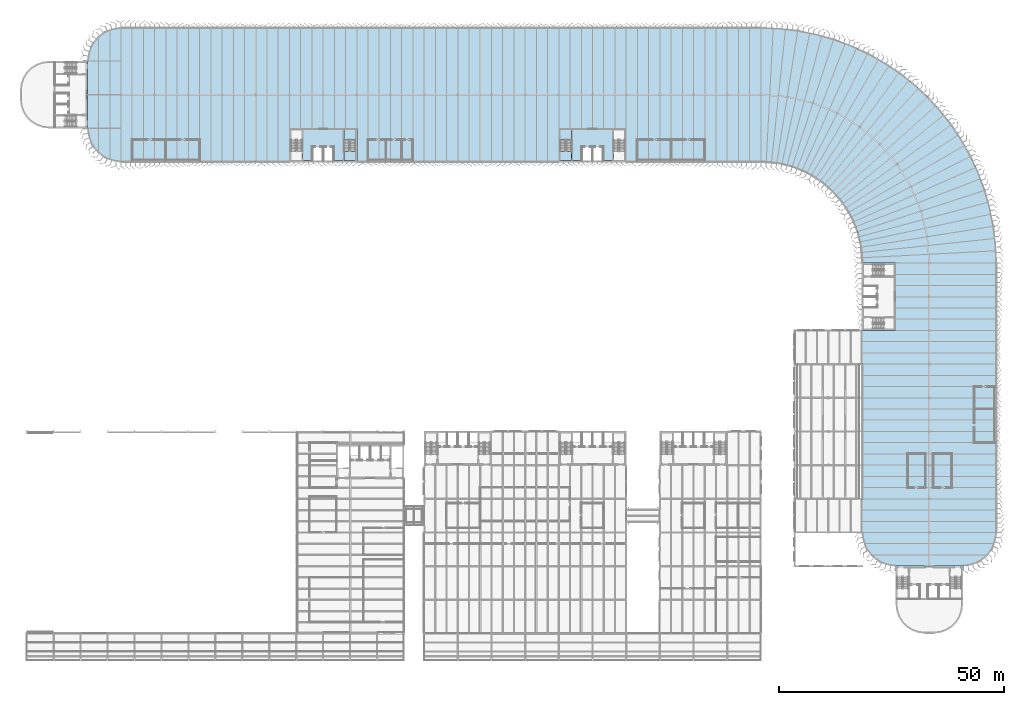
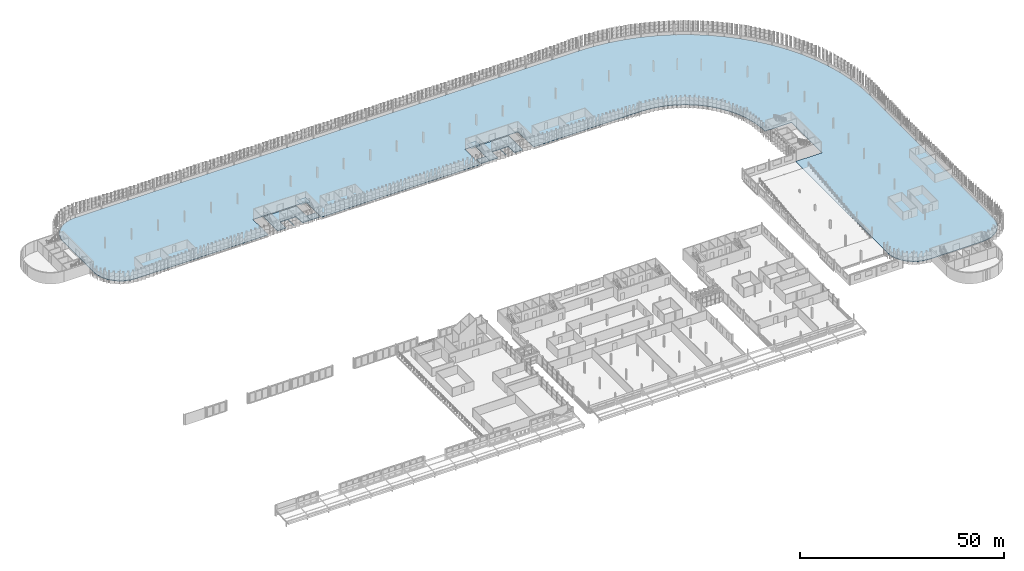
# One storey, part 59 of 214: 7 slabs, 2 elements without a shape of their own.
"""IFC4 building model written with IfcOpenShell, lengths in metres."""

import ifcopenshell
import ifcopenshell.guid

model = None  # the IFC model being written
_history = None  # IfcOwnerHistory: only IFC2X3 demands one
_inside = {}  # id of a spatial element -> (the spatial element, [elements in it])
_under = {}  # id of a project, library or spatial element -> (it, [spatial elements below it])
_declared = {}  # id of a project -> (the project, [libraries it declares])
_typed = {}  # id of a type object -> (the type object, [elements of that type])
_made_of = {}  # id of a material, layer set ... -> (it, [elements and type objects made of it])


def new_model(schema):
    """Start an empty IFC model of exactly this schema.

    Asked for "IFC4X3", IfcOpenShell would pick the latest addendum, in which some entities
    have other attributes; the version numbers below select the first issue.
    IFC2X3 requires an IfcOwnerHistory on every rooted entity: one is made here for all.
    """
    global model, _history
    if schema == "IFC4X3":
        model = ifcopenshell.file(schema_version=(4, 3, 0, 0))
    else:
        model = ifcopenshell.file(schema=schema)
    _inside.clear()
    _under.clear()
    _declared.clear()
    _typed.clear()
    _made_of.clear()
    _history = None
    if model.schema == "IFC2X3":
        org = make("IfcOrganization", Name="unknown")
        user = make(
            "IfcPersonAndOrganization",
            ThePerson=make("IfcPerson", FamilyName="unknown"),
            TheOrganization=org,
        )
        app = make(
            "IfcApplication",
            ApplicationDeveloper=org,
            Version="unknown",
            ApplicationFullName="unknown",
            ApplicationIdentifier="unknown",
        )
        _history = make(
            "IfcOwnerHistory",
            OwningUser=user,
            OwningApplication=app,
            ChangeAction="ADDED",
            CreationDate=0,
        )
    return model


def make(cls, **values):
    """One entity of the class cls with the attributes given. An attribute that is None is left unset."""
    return model.create_entity(
        cls, **{name: value for name, value in values.items() if value is not None}
    )


def rooted(cls, **values):
    """An entity with a GlobalId (a new one), such as an element, a storey or a relation."""
    return make(cls, GlobalId=ifcopenshell.guid.new(), OwnerHistory=_history, **values)


def si_unit(unit_type, name, prefix=None):
    """IfcSIUnit, for example si_unit("LENGTHUNIT", "METRE", prefix="MILLI")."""
    return make("IfcSIUnit", UnitType=unit_type, Prefix=prefix, Name=name)


def assignment(units):
    """IfcUnitAssignment: the units of a project."""
    return None if units is None else make("IfcUnitAssignment", Units=units)


def point(xyz):
    """IfcCartesianPoint."""
    return None if xyz is None else make("IfcCartesianPoint", Coordinates=xyz)


def direction(xyz):
    """IfcDirection."""
    return None if xyz is None else make("IfcDirection", DirectionRatios=xyz)


def frame(location, z_axis=None, x_axis=None):
    """IfcAxis2Placement3D, a coordinate frame: its origin and axes. An axis left out is left unset."""
    return make(
        "IfcAxis2Placement3D",
        Location=point(location),
        Axis=direction(z_axis),
        RefDirection=direction(x_axis),
    )


def origin():
    """The frame at (0, 0, 0) with its axes left unset."""
    return frame((0.0, 0.0, 0.0))


def place(relative_to, where):
    """IfcLocalPlacement: puts the frame where relative to a parent placement (None: the world)."""
    return make(
        "IfcLocalPlacement", PlacementRelTo=relative_to, RelativePlacement=where
    )


def context(
    kind, dimensions, precision=None, world=None, true_north=None, identifier=None
):
    """IfcGeometricRepresentationContext, for example the 3D "Model" context."""
    return make(
        "IfcGeometricRepresentationContext",
        ContextIdentifier=identifier,
        ContextType=kind,
        CoordinateSpaceDimension=dimensions,
        Precision=precision,
        WorldCoordinateSystem=world,
        TrueNorth=true_north,
    )


def subcontext(parent, identifier, kind, view, scale=None):
    """IfcGeometricRepresentationSubContext, for example "Body" below "Model"."""
    return make(
        "IfcGeometricRepresentationSubContext",
        ContextIdentifier=identifier,
        ContextType=kind,
        ParentContext=parent,
        TargetScale=scale,
        TargetView=view,
    )


def project(units=None, contexts=None):
    """IfcProject with its units and contexts."""
    return rooted(
        "IfcProject",
        Name="project",
        RepresentationContexts=contexts,
        UnitsInContext=assignment(units),
    )


def spatial(cls, under=None, at=None, **own):
    """A site, building, storey or space (cls), placed at a placement, below another one or the project."""
    s = rooted(cls, ObjectPlacement=at, **own)
    if under is not None:
        _under.setdefault(under.id(), (under, []))[1].append(s)
    return s


def polyline(points):
    """IfcPolyline through the points."""
    return make("IfcPolyline", Points=[point(p) for p in points])


def outline(outer, holes=None, kind="AREA"):
    """IfcArbitraryClosedProfileDef: a profile drawn as a closed curve; with holes, ...WithVoids."""
    if holes is None:
        return make("IfcArbitraryClosedProfileDef", ProfileType=kind, OuterCurve=outer)
    return make(
        "IfcArbitraryProfileDefWithVoids",
        ProfileType=kind,
        OuterCurve=outer,
        InnerCurves=holes,
    )


def extrude(swept, where, along, depth):
    """IfcExtrudedAreaSolid: the profile swept, set in the frame where, extruded along a direction by depth."""
    return make(
        "IfcExtrudedAreaSolid",
        SweptArea=swept,
        Position=where,
        ExtrudedDirection=direction(along),
        Depth=depth,
    )


def shape(context_of_items, identifier, shape_type, items):
    """IfcShapeRepresentation: the items that make up one representation, for example the "Body"."""
    return make(
        "IfcShapeRepresentation",
        ContextOfItems=context_of_items,
        RepresentationIdentifier=identifier,
        RepresentationType=shape_type,
        Items=items,
    )


def material(Name=None, Category=None):
    """IfcMaterial."""
    return make("IfcMaterial", Name=Name, Category=Category)


def layer(
    of_material, thickness, ventilated=None, Name=None, Category=None, Priority=None
):
    """IfcMaterialLayer: one layer of a wall or slab, of a material (None: an air gap)."""
    return make(
        "IfcMaterialLayer",
        Material=of_material,
        LayerThickness=thickness,
        IsVentilated=ventilated,
        Name=Name,
        Category=Category,
        Priority=Priority,
    )


def layer_set(layers, Name=None):
    """IfcMaterialLayerSet."""
    return make("IfcMaterialLayerSet", MaterialLayers=layers, LayerSetName=Name)


def made_of(thing, what):
    """Note that an element or type object is made of a material, layer set ...; save() writes the relation."""
    if what is not None:
        _made_of.setdefault(what.id(), (what, []))[1].append(thing)
    return thing


def type_object(cls, material=None, **own):
    """A type object (cls), such as IfcWallType, which elements share."""
    return made_of(rooted(cls, **own), material)


def element(
    cls,
    number,
    at=None,
    inside=None,
    cuts=None,
    type_object=None,
    material=None,
    context=None,
    identifier="Body",
    shape_type=None,
    held_by="IfcProductDefinitionShape",
    body=None,
    shapes=None,
    **own,
):
    """One element of the class cls, such as IfcWall. Its Tag is "e" and its number.

    at: its placement. inside: the storey or other place that contains it. cuts: it is an
    opening in that element (IfcRelVoidsElement). A single representation is given by context,
    identifier, shape_type and body (its items); several are given by shapes. held_by: the class
    of the entity that holds the representations. save() writes the other relations.
    """
    e = rooted(cls, Tag="e%d" % number, ObjectPlacement=at, **own)
    if body is not None:
        shapes = [shape(context, identifier, shape_type, body)]
    if shapes is not None:
        e.Representation = make(held_by, Representations=shapes)
    if inside is not None:
        _inside.setdefault(inside.id(), (inside, []))[1].append(e)
    if cuts is not None:
        rooted(
            "IfcRelVoidsElement", RelatingBuildingElement=cuts, RelatedOpeningElement=e
        )
    if type_object is not None:
        _typed.setdefault(type_object.id(), (type_object, []))[1].append(e)
    return made_of(e, material)


def aggregate(whole, parts):
    """IfcRelAggregates: a whole, such as a stair, and the parts it consists of."""
    return rooted("IfcRelAggregates", RelatingObject=whole, RelatedObjects=parts)


def save(model, path):
    """Write the relations noted so far, then the file.

    IfcRelAggregates (storeys below a building ...), IfcRelContainedInSpatialStructure (elements
    in a storey), IfcRelDefinesByType, IfcRelAssociatesMaterial and IfcRelDeclares: one each for
    every whole, place, type object, material and project.
    """
    for whole, parts in _under.values():
        aggregate(whole, parts)
    for where, things in _inside.values():
        rooted(
            "IfcRelContainedInSpatialStructure",
            RelatedElements=things,
            RelatingStructure=where,
        )
    for kind, things in _typed.values():
        rooted("IfcRelDefinesByType", RelatedObjects=things, RelatingType=kind)
    for what, things in _made_of.values():
        rooted("IfcRelAssociatesMaterial", RelatedObjects=things, RelatingMaterial=what)
    for by, libraries in _declared.values():
        rooted("IfcRelDeclares", RelatingContext=by, RelatedDefinitions=libraries)
    model.write(path)


model = new_model("IFC4")

# Units and contexts
model_context = context("Model", 3, precision=1e-05, world=origin(), true_north=direction((0.0, 1.0)))
body_context = subcontext(model_context, "Body", "Model", "MODEL_VIEW")
ifc_project = project(units=[si_unit("LENGTHUNIT", "METRE"), si_unit("AREAUNIT", "SQUARE_METRE"), si_unit("VOLUMEUNIT", "CUBIC_METRE"), si_unit("PLANEANGLEUNIT", "RADIAN"), si_unit("MASSUNIT", "GRAM", prefix="KILO")], contexts=[model_context])

# Site, building, storey
site_placement = place(None, origin())
site = spatial("IfcSite", under=ifc_project, at=site_placement, CompositionType="ELEMENT")
building_placement = place(site_placement, origin())
building = spatial("IfcBuilding", under=site, at=building_placement, Name="Parallax Yard Mobility Hub", CompositionType="ELEMENT")
storey_placement = place(building_placement, frame((0.0, 0.0, 3.300048828125)))
storey = spatial("IfcBuildingStorey", under=building, at=storey_placement, Name="L01", CompositionType="ELEMENT", Elevation=3.300048828125)

# Slabs
ifc_material_1 = material(Name="Composite slab: Concrete fc' 28 MPa on 76 mm steel deck", Category="concrete")
ifc_layer_1 = layer(ifc_material_1, 0.139892578125)
ifc_layer_set_1 = layer_set([ifc_layer_1], Name="Composite floor slab 140")
slab_type_1 = type_object("IfcSlabType", Name="Composite floor slab 140", PredefinedType="FLOOR", material=ifc_layer_set_1)
slab_1_placement = place(storey_placement, frame((0.0, 0.0, -0.14013671875)))
element("IfcSlab", 1, at=slab_1_placement, inside=storey, type_object=slab_type_1, Name="Composite floor slab level L01 of the ramped parking decks", PredefinedType="FLOOR", context=body_context, shape_type="SweptSolid", body=[
    extrude(outline(polyline([(25.833251953125, 141.236083984375), (24.69677734375, 140.30322265625), (23.763916015625, 139.166748046875), (23.07080078125, 137.8701171875), (22.64404296875, 136.463134765625), (22.5, 135.0), (22.5, 120.0), (22.64404296875, 118.536865234375), (23.07080078125, 117.1298828125), (23.763916015625, 115.833251953125), (24.69677734375, 114.69677734375), (25.833251953125, 113.763916015625), (27.1298828125, 113.07080078125), (28.536865234375, 112.64404296875), (30.0, 112.5), (67.5, 112.5), (67.5, 120.0), (82.5, 120.0), (82.5, 112.5), (127.5, 112.5), (127.5, 120.0), (142.5, 120.0), (142.5, 112.5), (172.5, 112.5), (173.9716796875, 112.451904296875), (175.436767578125, 112.3076171875), (176.889404296875, 112.067626953125), (178.323486328125, 111.7333984375), (179.732421875, 111.305908203125), (181.1103515625, 110.787353515625), (182.451416015625, 110.1796875), (183.75, 109.485595703125), (185.000244140625, 108.7080078125), (186.197021484375, 107.8505859375), (187.335205078125, 106.91650390625), (188.409912109375, 105.909912109375), (189.41650390625, 104.835205078125), (190.3505859375, 103.697021484375), (191.2080078125, 102.500244140625), (191.985595703125, 101.25), (192.6796875, 99.951416015625), (193.287353515625, 98.6103515625), (193.805908203125, 97.232421875), (194.2333984375, 95.823486328125), (194.567626953125, 94.389404296875), (194.8076171875, 92.936767578125), (194.951904296875, 91.4716796875), (195.0, 90.0), (202.5, 90.0), (202.5, 75.0), (195.0, 75.0), (195.0, 30.0), (195.14404296875, 28.536865234375), (195.57080078125, 27.1298828125), (196.263916015625, 25.833251953125), (197.19677734375, 24.69677734375), (198.333251953125, 23.763916015625), (199.6298828125, 23.07080078125), (201.036865234375, 22.64404296875), (202.5, 22.5), (217.5, 22.5), (218.963134765625, 22.64404296875), (220.3701171875, 23.07080078125), (221.666748046875, 23.763916015625), (222.80322265625, 24.69677734375), (223.736083984375, 25.833251953125), (224.42919921875, 27.1298828125), (224.85595703125, 28.536865234375), (225.0, 30.0), (225.0, 90.0), (224.978515625, 91.499267578125), (224.914306640625, 92.997314453125), (224.807373046875, 94.49267578125), (224.65771484375, 95.984619140625), (224.465576171875, 97.471435546875), (224.231201171875, 98.952392578125), (223.954345703125, 100.426025390625), (223.635498046875, 101.89111328125), (223.275146484375, 103.346435546875), (222.873291015625, 104.791015625), (222.430419921875, 106.223388671875), (221.94677734375, 107.642578125), (221.4228515625, 109.04736328125), (220.85888671875, 110.436767578125), (220.255615234375, 111.809326171875), (219.61328125, 113.1640625), (218.9326171875, 114.5), (218.214111328125, 115.81591796875), (217.458251953125, 117.11083984375), (216.665771484375, 118.383544921875), (215.83740234375, 119.63330078125), (214.973388671875, 120.858642578125), (214.074951171875, 122.05908203125), (213.142333984375, 123.233154296875), (212.177001953125, 124.380126953125), (211.178955078125, 125.499267578125), (210.1494140625, 126.589111328125), (209.089111328125, 127.6494140625), (207.999267578125, 128.678955078125), (206.880126953125, 129.677001953125), (205.733154296875, 130.642333984375), (204.55908203125, 131.574951171875), (203.358642578125, 132.473388671875), (202.13330078125, 133.33740234375), (200.883544921875, 134.165771484375), (199.61083984375, 134.958251953125), (198.31591796875, 135.714111328125), (197.0, 136.4326171875), (195.6640625, 137.11328125), (194.309326171875, 137.755615234375), (192.936767578125, 138.35888671875), (191.54736328125, 138.9228515625), (190.142578125, 139.44677734375), (188.723388671875, 139.930419921875), (187.291015625, 140.373291015625), (185.846435546875, 140.775146484375), (184.39111328125, 141.135498046875), (182.926025390625, 141.454345703125), (181.452392578125, 141.731201171875), (179.971435546875, 141.965576171875), (178.484619140625, 142.15771484375), (176.99267578125, 142.307373046875), (175.497314453125, 142.414306640625), (173.999267578125, 142.478515625), (172.5, 142.5), (30.0, 142.5), (28.536865234375, 142.35595703125), (27.1298828125, 141.92919921875), (25.833251953125, 141.236083984375)])), origin(), (0.0, 0.0, 1.0), 0.14013671875),
])
ifc_material_2 = material(Name="Concrete fc' 35 MPa", Category="concrete")
ifc_layer_2 = layer(ifc_material_2, 0.199951171875)
ifc_layer_set_2 = layer_set([ifc_layer_2], Name="Core floor slab 200")
slab_type_2 = type_object("IfcSlabType", Name="Core floor slab 200", PredefinedType="FLOOR", material=ifc_layer_set_2)
slab_2_placement = place(storey_placement, frame((0.0, 0.0, -0.199951171875)))
element("IfcSlab", 2, at=slab_2_placement, inside=storey, type_object=slab_type_2, Name="Core C-N1 floor slab level L01", PredefinedType="FLOOR", context=body_context, shape_type="SweptSolid", body=[
    extrude(outline(polyline([(79.64990234375, 119.699951171875), (79.64990234375, 112.800048828125), (77.300048828125, 112.800048828125), (77.300048828125, 115.800048828125), (75.10009765625, 115.800048828125), (75.10009765625, 112.800048828125), (74.89990234375, 112.800048828125), (74.89990234375, 115.800048828125), (72.699951171875, 115.800048828125), (72.699951171875, 112.800048828125), (70.35009765625, 112.800048828125), (70.35009765625, 119.699951171875), (79.64990234375, 119.699951171875)])), origin(), (0.0, 0.0, 1.0), 0.199951171875),
])
slab_3_placement = place(storey_placement, frame((0.0, 0.0, -0.199951171875)))
element("IfcSlab", 3, at=slab_3_placement, inside=storey, type_object=slab_type_2, Name="Core C-N2 floor slab level L01", PredefinedType="FLOOR", context=body_context, shape_type="SweptSolid", body=[
    extrude(outline(polyline([(139.64990234375, 119.699951171875), (139.64990234375, 112.800048828125), (137.300048828125, 112.800048828125), (137.300048828125, 115.800048828125), (135.10009765625, 115.800048828125), (135.10009765625, 112.800048828125), (134.89990234375, 112.800048828125), (134.89990234375, 115.800048828125), (132.699951171875, 115.800048828125), (132.699951171875, 112.800048828125), (130.35009765625, 112.800048828125), (130.35009765625, 119.699951171875), (139.64990234375, 119.699951171875)])), origin(), (0.0, 0.0, 1.0), 0.199951171875),
])

# Stair, slab
stair_type = type_object("IfcStairType", Name="Exit stair 1200 dog-leg", PredefinedType="HALF_TURN_STAIR", material=ifc_material_2)
stair_1_placement = place(storey_placement, origin())
stair_1 = element("IfcStair", 4, at=stair_1_placement, inside=storey, type_object=stair_type, Name="L01 Exit stair 1 of core C-N1", PredefinedType="HALF_TURN_STAIR")
ifc_layer_3 = layer(ifc_material_2, 0.199951171875)
ifc_layer_set_3 = layer_set([ifc_layer_3], Name="Exit stair landing 200")
slab_type_3 = type_object("IfcSlabType", Name="Exit stair landing 200", PredefinedType="LANDING", material=ifc_layer_set_3)
slab_4_placement = place(storey_placement, frame((0.0, 0.0, 1.449951171875)))
slab_4 = element("IfcSlab", 5, at=slab_4_placement, type_object=slab_type_3, Name="ST3 landing 1", PredefinedType="LANDING", context=body_context, shape_type="SweptSolid", body=[
    extrude(outline(polyline([(82.199951171875, 117.465087890625), (82.199951171875, 119.699951171875), (79.64990234375, 119.699951171875), (79.64990234375, 117.465087890625), (82.199951171875, 117.465087890625)])), origin(), (0.0, 0.0, 1.0), 0.199951171875),
])
aggregate(stair_1, [slab_4])

stair_2_placement = place(storey_placement, origin())
stair_2 = element("IfcStair", 6, at=stair_2_placement, inside=storey, type_object=stair_type, Name="L01 Exit stair 2 of core C-N2", PredefinedType="HALF_TURN_STAIR")
slab_5_placement = place(storey_placement, frame((0.0, 0.0, 1.449951171875)))
slab_5 = element("IfcSlab", 7, at=slab_5_placement, type_object=slab_type_3, Name="ST6 landing 1", PredefinedType="LANDING", context=body_context, shape_type="SweptSolid", body=[
    extrude(outline(polyline([(130.35009765625, 117.465087890625), (130.35009765625, 119.699951171875), (127.800048828125, 119.699951171875), (127.800048828125, 117.465087890625), (130.35009765625, 117.465087890625)])), origin(), (0.0, 0.0, 1.0), 0.199951171875),
])
aggregate(stair_2, [slab_5])

# Slabs
ifc_layer_4 = layer(ifc_material_2, 0.199951171875)
ifc_layer_set_4 = layer_set([ifc_layer_4], Name="Stair floor landing slab 200")
slab_type_4 = type_object("IfcSlabType", Name="Stair floor landing slab 200", PredefinedType="FLOOR", material=ifc_layer_set_4)
slab_6_placement = place(storey_placement, frame((0.0, 0.0, -0.199951171875)))
element("IfcSlab", 8, at=slab_6_placement, inside=storey, type_object=slab_type_4, Name="Core C-N1 exit stair 1 floor landing level L01", PredefinedType="FLOOR", context=body_context, shape_type="SweptSolid", body=[
    extrude(outline(polyline([(79.64990234375, 114.89990234375), (79.64990234375, 112.800048828125), (82.199951171875, 112.800048828125), (82.199951171875, 114.89990234375), (79.64990234375, 114.89990234375)])), origin(), (0.0, 0.0, 1.0), 0.199951171875),
])
slab_7_placement = place(storey_placement, frame((0.0, 0.0, -0.199951171875)))
element("IfcSlab", 9, at=slab_7_placement, inside=storey, type_object=slab_type_4, Name="Core C-N2 exit stair 2 floor landing level L01", PredefinedType="FLOOR", context=body_context, shape_type="SweptSolid", body=[
    extrude(outline(polyline([(127.800048828125, 114.89990234375), (127.800048828125, 112.800048828125), (130.35009765625, 112.800048828125), (130.35009765625, 114.89990234375), (127.800048828125, 114.89990234375)])), origin(), (0.0, 0.0, 1.0), 0.199951171875),
])

save(model, "model.ifc")
